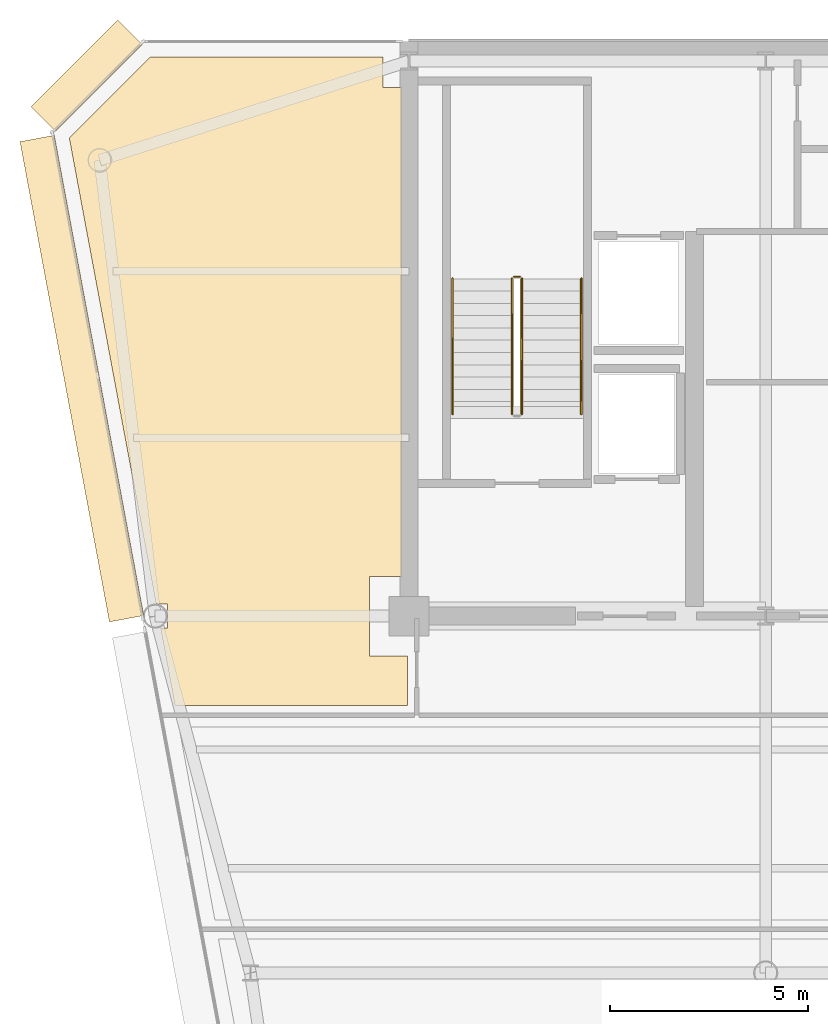
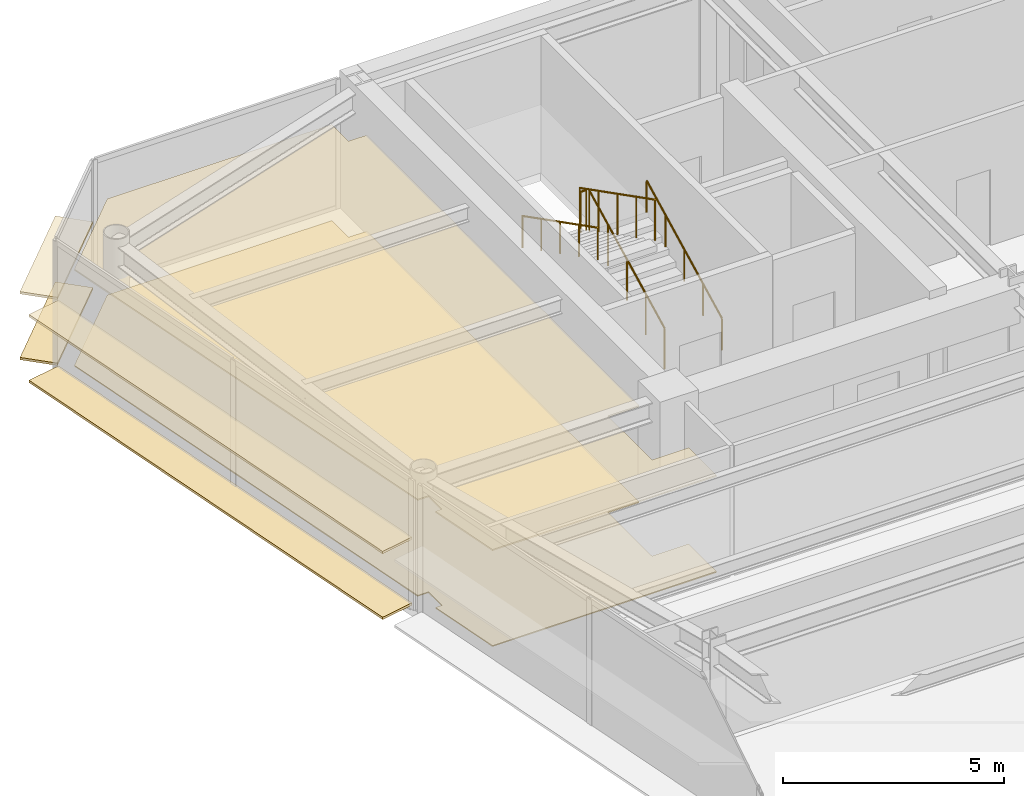
# One storey, part 16 of 18: 6 coverings, 5 railings.
"""IFC4 building model written with IfcOpenShell, lengths in metres."""

from ifc_helpers import new_model, si_unit, direction, frame, origin, origin_2d, place, context, subcontext, project, spatial, polyline, rectangle, circle, outline, extrude, source, transform, mapped, material, layer, layer_set, type_object, element, save


model = new_model("IFC4")

# Units and contexts
model_context = context("Model", 3, precision=1e-05, world=origin(), true_north=direction((0.0, 1.0)))
body_context = subcontext(model_context, "Body", "Model", "MODEL_VIEW")
ifc_project = project(units=[si_unit("LENGTHUNIT", "METRE"), si_unit("AREAUNIT", "SQUARE_METRE"), si_unit("VOLUMEUNIT", "CUBIC_METRE"), si_unit("PLANEANGLEUNIT", "RADIAN"), si_unit("MASSUNIT", "GRAM", prefix="KILO")], contexts=[model_context])

# Site, building, storey
site_placement = place(None, origin())
site = spatial("IfcSite", under=ifc_project, at=site_placement, CompositionType="ELEMENT")
building_placement = place(site_placement, origin())
building = spatial("IfcBuilding", under=site, at=building_placement, Name="Vaeldorn Concourse Tower", CompositionType="ELEMENT")
storey_placement = place(building_placement, frame((0.0, 0.0, 261.199951171875)))
storey = spatial("IfcBuildingStorey", under=building, at=storey_placement, Name="L67", CompositionType="ELEMENT", Elevation=261.199951171875)

# Coverings
ifc_material_1 = material(Name="Acoustic Mineral Fibre Board", Category="gypsum")
ifc_layer_1 = layer(ifc_material_1, 0.0400390625)
ifc_layer_set_1 = layer_set([ifc_layer_1], Name="Acoustic Mineral Fibre Board")
covering_type_1 = type_object("IfcCoveringType", Name="COV-CEIL-ACOUSTIC", PredefinedType="CEILING", material=ifc_layer_set_1)
covering_1_placement = place(storey_placement, frame((0.0, 0.0, 2.650146484375)))
element("IfcCovering", 1, at=covering_1_placement, inside=storey, type_object=covering_type_1, Name="Suspended Acoustic Ceiling L67-3", PredefinedType="CEILING", context=body_context, shape_type="SweptSolid", body=[
    extrude(outline(polyline([(7.4658203125, 50.60009765625), (13.340087890625, 50.60009765625), (13.340087890625, 49.840087890625), (13.820068359375, 49.840087890625), (13.820068359375, 37.5), (13.0, 37.5), (13.0, 35.5), (13.9599609375, 35.5), (13.9599609375, 34.239990234375), (8.099365234375, 34.239990234375), (7.831298828125, 35.679931640625), (7.831298828125, 35.679931640625), (7.7353515625, 36.195068359375), (7.905029296875, 36.195068359375), (7.905029296875, 36.804931640625), (7.621826171875, 36.804931640625), (5.431884765625, 48.566162109375), (7.4658203125, 50.60009765625)])), origin(), (0.0, 0.0, 1.0), 0.039794921875),
])
ifc_material_2 = material(Name="Honed Limestone Terrazzo Flooring", Category="masonry")
ifc_layer_2 = layer(ifc_material_2, 0.0400390625)
ifc_layer_set_2 = layer_set([ifc_layer_2], Name="Honed Limestone Terrazzo Flooring")
covering_type_2 = type_object("IfcCoveringType", Name="COV-FLOOR-STONE", PredefinedType="FLOORING", material=ifc_layer_set_2)
covering_2_placement = place(storey_placement, origin())
element("IfcCovering", 2, at=covering_2_placement, inside=storey, type_object=covering_type_2, Name="Floor Finish Covering L67-3", PredefinedType="FLOORING", context=body_context, shape_type="SweptSolid", body=[
    extrude(outline(polyline([(7.4658203125, 50.60009765625), (13.340087890625, 50.60009765625), (13.340087890625, 49.840087890625), (13.820068359375, 49.840087890625), (13.820068359375, 37.5), (13.0, 37.5), (13.0, 35.5), (13.9599609375, 35.5), (13.9599609375, 34.239990234375), (8.099365234375, 34.239990234375), (7.831298828125, 35.679931640625), (7.831298828125, 35.679931640625), (7.7353515625, 36.195068359375), (7.905029296875, 36.195068359375), (7.905029296875, 36.804931640625), (7.621826171875, 36.804931640625), (5.431884765625, 48.566162109375), (7.4658203125, 50.60009765625)])), origin(), (0.0, 0.0, 1.0), 0.030029296875),
])

# Railings
ifc_material_3 = material(Name="Anodised Bronze Aluminium", Category="aluminium")
railing_type_1 = type_object("IfcRailingType", Name="RL-STAIR-GUARD", PredefinedType="GUARDRAIL", material=ifc_material_3)
railing_1_placement = place(storey_placement, frame((16.85009765625, 41.60009765625, 0.158447265625)))
element("IfcRailing", 3, at=railing_1_placement, inside=storey, type_object=railing_type_1, Name="L67 ST-1 stair guard 1", PredefinedType="GUARDRAIL", context=body_context, shape_type="SweptSolid", body=[
    extrude(circle(Radius=0.02392578125, at=origin_2d()), frame((0.0, 0.0, 1.1259765625), z_axis=(0.0, 0.890555807335, 0.454873997962), x_axis=(-1.0, 0.0, 0.0)), (0.0, 0.0, 1.0), 3.828857421875),
    extrude(circle(Radius=0.02099609375, at=origin_2d()), origin(), (0.0, 0.0, 1.0), 1.101806640625),
    extrude(circle(Radius=0.02099609375, at=origin_2d()), frame((0.0, 0.8525390625, 0.435546875)), (0.0, 0.0, 1.0), 1.101806640625),
    extrude(circle(Radius=0.02099609375, at=origin_2d()), frame((0.0, 1.705078125, 0.870849609375)), (0.0, 0.0, 1.0), 1.101806640625),
    extrude(circle(Radius=0.02099609375, at=origin_2d()), frame((0.0, 2.557373046875, 1.30615234375)), (0.0, 0.0, 1.0), 1.101806640625),
    extrude(circle(Radius=0.02099609375, at=origin_2d()), frame((0.0, 3.409912109375, 1.74169921875)), (0.0, 0.0, 1.0), 1.101806640625),
])
railing_2_placement = place(storey_placement, frame((16.800048828125, 45.06005859375, 1.900146484375)))
element("IfcRailing", 4, at=railing_2_placement, inside=storey, type_object=railing_type_1, Name="L67 ST-1 stair guard 2", PredefinedType="GUARDRAIL", context=body_context, shape_type="SweptSolid", body=[
    extrude(circle(Radius=0.02392578125, at=origin_2d()), frame((0.0, 0.0, 1.1259765625), z_axis=(-1.0, 0.0, 0.0), x_axis=(0.0, -1.0, 0.0)), (0.0, 0.0, 1.0), 0.150146484375),
    extrude(circle(Radius=0.02099609375, at=origin_2d()), origin(), (0.0, 0.0, 1.0), 1.101806640625),
    extrude(circle(Radius=0.02099609375, at=origin_2d()), frame((-0.150146484375, 0.0, 0.0)), (0.0, 0.0, 1.0), 1.101806640625),
])
railing_3_placement = place(storey_placement, frame((16.60009765625, 45.010009765625, 2.058349609375)))
element("IfcRailing", 5, at=railing_3_placement, inside=storey, type_object=railing_type_1, Name="L67 ST-1 stair guard 3", PredefinedType="GUARDRAIL", context=body_context, shape_type="SweptSolid", body=[
    extrude(circle(Radius=0.02392578125, at=origin_2d()), frame((0.0, 0.0, 1.1259765625), z_axis=(0.0, -0.890555807335, 0.454873997962), x_axis=(1.0, 0.0, 0.0)), (0.0, 0.0, 1.0), 3.828857421875),
    extrude(circle(Radius=0.02099609375, at=origin_2d()), origin(), (0.0, 0.0, 1.0), 1.101806640625),
    extrude(circle(Radius=0.02099609375, at=origin_2d()), frame((0.0, -0.8525390625, 0.435546875)), (0.0, 0.0, 1.0), 1.101806640625),
    extrude(circle(Radius=0.02099609375, at=origin_2d()), frame((0.0, -1.705078125, 0.870849609375)), (0.0, 0.0, 1.0), 1.101806640625),
    extrude(circle(Radius=0.02099609375, at=origin_2d()), frame((0.0, -2.557373046875, 1.30615234375)), (0.0, 0.0, 1.0), 1.101806640625),
    extrude(circle(Radius=0.02099609375, at=origin_2d()), frame((0.0, -3.409912109375, 1.74169921875)), (0.0, 0.0, 1.0), 1.101806640625),
])
railing_type_2 = type_object("IfcRailingType", Name="RL-STAIR-HANDRAIL", PredefinedType="HANDRAIL", material=ifc_material_3)
railing_4_placement = place(storey_placement, frame((18.35009765625, 41.60009765625, 0.158447265625)))
element("IfcRailing", 6, at=railing_4_placement, inside=storey, type_object=railing_type_2, Name="L67 ST-1 stair handrail 1", PredefinedType="HANDRAIL", context=body_context, shape_type="SweptSolid", body=[
    extrude(circle(Radius=0.02392578125, at=origin_2d()), frame((0.0, 0.0, 0.8759765625), z_axis=(0.0, 0.890555807335, 0.454873997962), x_axis=(-1.0, 0.0, 0.0)), (0.0, 0.0, 1.0), 3.828857421875),
    extrude(circle(Radius=0.02099609375, at=origin_2d()), origin(), (0.0, 0.0, 1.0), 0.851806640625),
    extrude(circle(Radius=0.02099609375, at=origin_2d()), frame((0.0, 0.8525390625, 0.435546875)), (0.0, 0.0, 1.0), 0.851806640625),
    extrude(circle(Radius=0.02099609375, at=origin_2d()), frame((0.0, 1.705078125, 0.870849609375)), (0.0, 0.0, 1.0), 0.851806640625),
    extrude(circle(Radius=0.02099609375, at=origin_2d()), frame((0.0, 2.557373046875, 1.30615234375)), (0.0, 0.0, 1.0), 0.851806640625),
    extrude(circle(Radius=0.02099609375, at=origin_2d()), frame((0.0, 3.409912109375, 1.74169921875)), (0.0, 0.0, 1.0), 0.851806640625),
])
railing_5_placement = place(storey_placement, frame((15.10009765625, 45.010009765625, 2.058349609375)))
element("IfcRailing", 7, at=railing_5_placement, inside=storey, type_object=railing_type_2, Name="L67 ST-1 stair handrail 2", PredefinedType="HANDRAIL", context=body_context, shape_type="SweptSolid", body=[
    extrude(circle(Radius=0.02392578125, at=origin_2d()), frame((0.0, 0.0, 0.8759765625), z_axis=(0.0, -0.890555807335, 0.454873997962), x_axis=(1.0, 0.0, 0.0)), (0.0, 0.0, 1.0), 3.828857421875),
    extrude(circle(Radius=0.02099609375, at=origin_2d()), origin(), (0.0, 0.0, 1.0), 0.851806640625),
    extrude(circle(Radius=0.02099609375, at=origin_2d()), frame((0.0, -0.8525390625, 0.435546875)), (0.0, 0.0, 1.0), 0.851806640625),
    extrude(circle(Radius=0.02099609375, at=origin_2d()), frame((0.0, -1.705078125, 0.870849609375)), (0.0, 0.0, 1.0), 0.851806640625),
    extrude(circle(Radius=0.02099609375, at=origin_2d()), frame((0.0, -2.557373046875, 1.30615234375)), (0.0, 0.0, 1.0), 0.851806640625),
    extrude(circle(Radius=0.02099609375, at=origin_2d()), frame((0.0, -3.409912109375, 1.74169921875)), (0.0, 0.0, 1.0), 0.851806640625),
])

# Coverings
ifc_layer_3 = layer(ifc_material_3, 0.06494140625)
ifc_layer_set_3 = layer_set([ifc_layer_3], Name="Anodised Bronze Aluminium")
covering_type_3 = type_object("IfcCoveringType", Name="SD-BRONZE-SUNSHADE", PredefinedType="USERDEFINED", material=ifc_layer_set_3)
shared_shape_1 = source(origin(), body_context, "Body", "SweptSolid", [
    extrude(rectangle(XDim=3.0927734375, YDim=0.8798828125, at=origin_2d()), origin(), (0.0, 0.0, 1.0), 0.06494140625),
])
for number, where, z_axis, x_axis, name in (
    (8, (5.8671875, 50.1328125, 0.047607421875), (0.0, 0.0, 1.0), (-0.707106781187, -0.707106781187, 0.0), "Horizontal Bronze Sunshade L67-E10.1.1"),
    (9, (5.8671875, 50.1328125, 1.86767578125), (0.0, 0.0, 1.0), (-0.707106781187, -0.707106781187, 0.0), "Horizontal Bronze Sunshade L67-E10.1.2"),
):
    element("IfcCovering", number, at=place(storey_placement, frame(where, z_axis=z_axis, x_axis=x_axis)), inside=storey, type_object=covering_type_3, Name=name, ObjectType="SUNSHADE", PredefinedType="USERDEFINED", context=body_context, shape_type="MappedRepresentation", body=[
        mapped(shared_shape_1, transform((0.0, 0.0, 0.0), scale=1.0)),
    ])
shared_shape_2 = source(origin(), body_context, "Body", "SweptSolid", [
    extrude(rectangle(XDim=12.322509765625, YDim=0.8798828125, at=origin_2d()), origin(), (0.0, 0.0, 1.0), 0.06494140625),
])
for number, where, z_axis, x_axis, name in (
    (10, (5.749267578125, 42.490966796875, 0.047607421875), (0.0, 0.0, 1.0), (0.183059191151, -0.983101893262, 0.0), "Horizontal Bronze Sunshade L67-E11.1.1"),
    (11, (5.749267578125, 42.490966796875, 1.86767578125), (0.0, 0.0, 1.0), (0.183059191151, -0.983101893262, 0.0), "Horizontal Bronze Sunshade L67-E11.1.2"),
):
    element("IfcCovering", number, at=place(storey_placement, frame(where, z_axis=z_axis, x_axis=x_axis)), inside=storey, type_object=covering_type_3, Name=name, ObjectType="SUNSHADE", PredefinedType="USERDEFINED", context=body_context, shape_type="MappedRepresentation", body=[
        mapped(shared_shape_2, transform((0.0, 0.0, 0.0), scale=1.0)),
    ])

save(model, "model.ifc")
